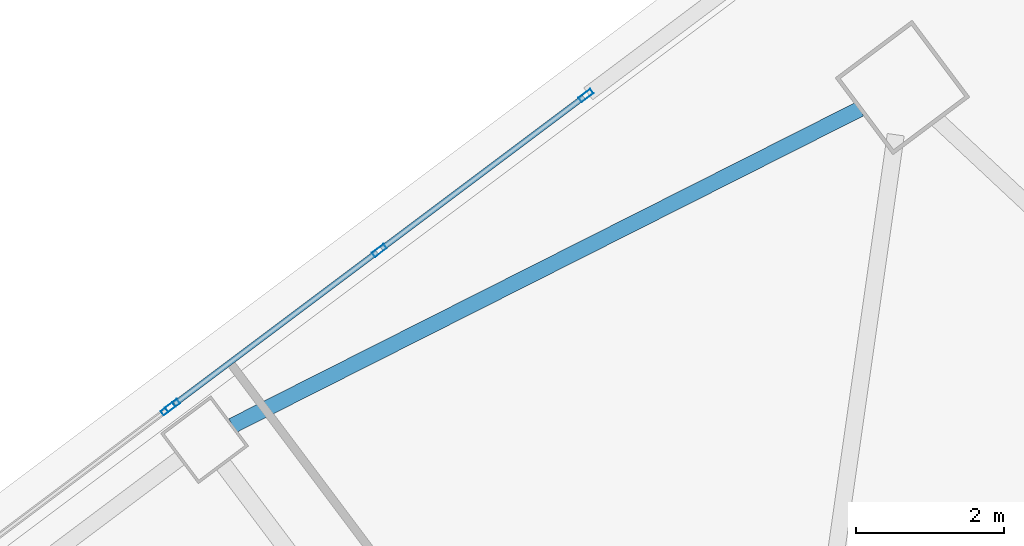
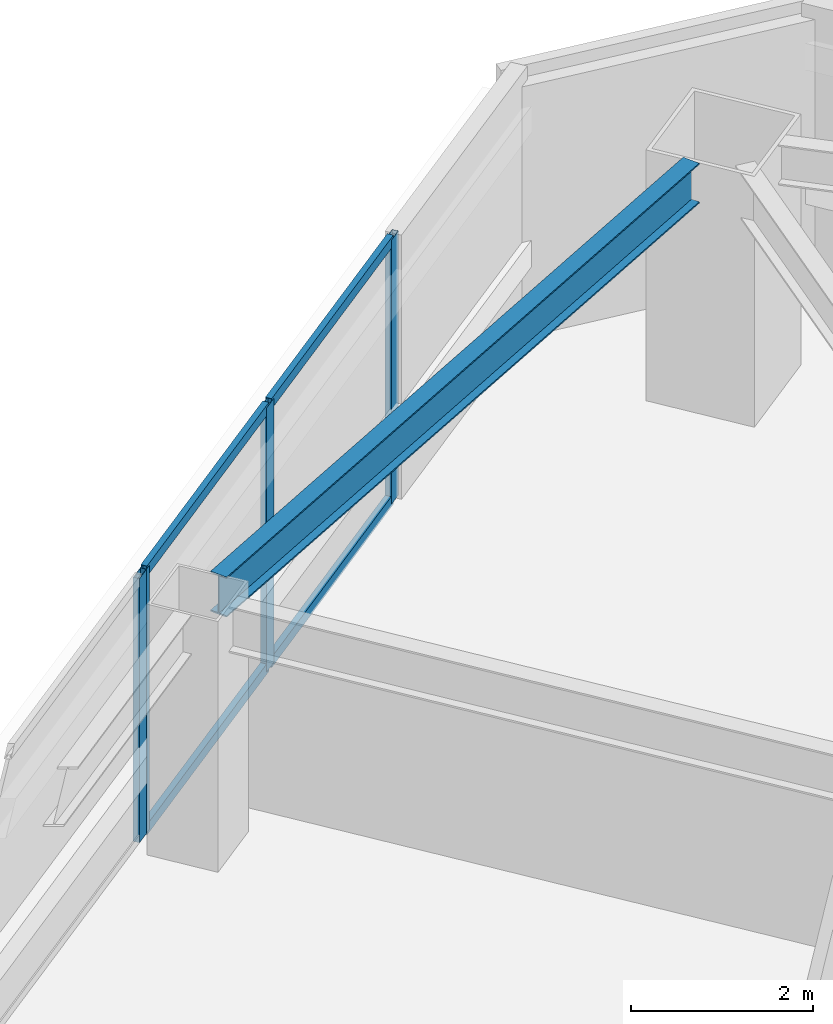
# One storey, part 29 of 44: 8 members, 1 beam, 2 elements without a shape of their own.
"""IFC4 building model written with IfcOpenShell, lengths in metres."""

import ifcopenshell
import ifcopenshell.guid

model = None  # the IFC model being written
_history = None  # IfcOwnerHistory: only IFC2X3 demands one
_inside = {}  # id of a spatial element -> (the spatial element, [elements in it])
_under = {}  # id of a project, library or spatial element -> (it, [spatial elements below it])
_declared = {}  # id of a project -> (the project, [libraries it declares])
_typed = {}  # id of a type object -> (the type object, [elements of that type])
_made_of = {}  # id of a material, layer set ... -> (it, [elements and type objects made of it])


def new_model(schema):
    """Start an empty IFC model of exactly this schema.

    Asked for "IFC4X3", IfcOpenShell would pick the latest addendum, in which some entities
    have other attributes; the version numbers below select the first issue.
    IFC2X3 requires an IfcOwnerHistory on every rooted entity: one is made here for all.
    """
    global model, _history
    if schema == "IFC4X3":
        model = ifcopenshell.file(schema_version=(4, 3, 0, 0))
    else:
        model = ifcopenshell.file(schema=schema)
    _inside.clear()
    _under.clear()
    _declared.clear()
    _typed.clear()
    _made_of.clear()
    _history = None
    if model.schema == "IFC2X3":
        org = make("IfcOrganization", Name="unknown")
        user = make(
            "IfcPersonAndOrganization",
            ThePerson=make("IfcPerson", FamilyName="unknown"),
            TheOrganization=org,
        )
        app = make(
            "IfcApplication",
            ApplicationDeveloper=org,
            Version="unknown",
            ApplicationFullName="unknown",
            ApplicationIdentifier="unknown",
        )
        _history = make(
            "IfcOwnerHistory",
            OwningUser=user,
            OwningApplication=app,
            ChangeAction="ADDED",
            CreationDate=0,
        )
    return model


def make(cls, **values):
    """One entity of the class cls with the attributes given. An attribute that is None is left unset."""
    return model.create_entity(
        cls, **{name: value for name, value in values.items() if value is not None}
    )


def rooted(cls, **values):
    """An entity with a GlobalId (a new one), such as an element, a storey or a relation."""
    return make(cls, GlobalId=ifcopenshell.guid.new(), OwnerHistory=_history, **values)


def si_unit(unit_type, name, prefix=None):
    """IfcSIUnit, for example si_unit("LENGTHUNIT", "METRE", prefix="MILLI")."""
    return make("IfcSIUnit", UnitType=unit_type, Prefix=prefix, Name=name)


def assignment(units):
    """IfcUnitAssignment: the units of a project."""
    return None if units is None else make("IfcUnitAssignment", Units=units)


def point(xyz):
    """IfcCartesianPoint."""
    return None if xyz is None else make("IfcCartesianPoint", Coordinates=xyz)


def direction(xyz):
    """IfcDirection."""
    return None if xyz is None else make("IfcDirection", DirectionRatios=xyz)


def frame(location, z_axis=None, x_axis=None):
    """IfcAxis2Placement3D, a coordinate frame: its origin and axes. An axis left out is left unset."""
    return make(
        "IfcAxis2Placement3D",
        Location=point(location),
        Axis=direction(z_axis),
        RefDirection=direction(x_axis),
    )


def frame_2d(location, x_axis=None):
    """IfcAxis2Placement2D, a coordinate frame in the plane: its origin and x axis."""
    return make(
        "IfcAxis2Placement2D", Location=point(location), RefDirection=direction(x_axis)
    )


def origin():
    """The frame at (0, 0, 0) with its axes left unset."""
    return frame((0.0, 0.0, 0.0))


def origin_2d():
    """The frame at (0, 0) in the plane with its x axis left unset."""
    return frame_2d((0.0, 0.0))


def place(relative_to, where):
    """IfcLocalPlacement: puts the frame where relative to a parent placement (None: the world)."""
    return make(
        "IfcLocalPlacement", PlacementRelTo=relative_to, RelativePlacement=where
    )


def context(
    kind, dimensions, precision=None, world=None, true_north=None, identifier=None
):
    """IfcGeometricRepresentationContext, for example the 3D "Model" context."""
    return make(
        "IfcGeometricRepresentationContext",
        ContextIdentifier=identifier,
        ContextType=kind,
        CoordinateSpaceDimension=dimensions,
        Precision=precision,
        WorldCoordinateSystem=world,
        TrueNorth=true_north,
    )


def subcontext(parent, identifier, kind, view, scale=None):
    """IfcGeometricRepresentationSubContext, for example "Body" below "Model"."""
    return make(
        "IfcGeometricRepresentationSubContext",
        ContextIdentifier=identifier,
        ContextType=kind,
        ParentContext=parent,
        TargetScale=scale,
        TargetView=view,
    )


def project(units=None, contexts=None):
    """IfcProject with its units and contexts."""
    return rooted(
        "IfcProject",
        Name="project",
        RepresentationContexts=contexts,
        UnitsInContext=assignment(units),
    )


def spatial(cls, under=None, at=None, **own):
    """A site, building, storey or space (cls), placed at a placement, below another one or the project."""
    s = rooted(cls, ObjectPlacement=at, **own)
    if under is not None:
        _under.setdefault(under.id(), (under, []))[1].append(s)
    return s


def profile(cls, at=None, kind="AREA", **sizes):
    """A parametric profile (cls). Its sizes go by their IFC names, for example OverallWidth=200.0."""
    return make(cls, ProfileType=kind, Position=at, **sizes)


def hollow_rectangle(**sizes):
    """IfcRectangleHollowProfileDef."""
    return profile("IfcRectangleHollowProfileDef", **sizes)


def i_section(**sizes):
    """IfcIShapeProfileDef."""
    return profile("IfcIShapeProfileDef", **sizes)


def extrude(swept, where, along, depth):
    """IfcExtrudedAreaSolid: the profile swept, set in the frame where, extruded along a direction by depth."""
    return make(
        "IfcExtrudedAreaSolid",
        SweptArea=swept,
        Position=where,
        ExtrudedDirection=direction(along),
        Depth=depth,
    )


def shape(context_of_items, identifier, shape_type, items):
    """IfcShapeRepresentation: the items that make up one representation, for example the "Body"."""
    return make(
        "IfcShapeRepresentation",
        ContextOfItems=context_of_items,
        RepresentationIdentifier=identifier,
        RepresentationType=shape_type,
        Items=items,
    )


def material(Name=None, Category=None):
    """IfcMaterial."""
    return make("IfcMaterial", Name=Name, Category=Category)


def material_profile(
    of_material, cross_section, Name=None, Category=None, Priority=None
):
    """IfcMaterialProfile: a cross section and its material."""
    return make(
        "IfcMaterialProfile",
        Name=Name,
        Material=of_material,
        Profile=cross_section,
        Priority=Priority,
        Category=Category,
    )


def profile_set(profiles, Name=None, composite=None):
    """IfcMaterialProfileSet."""
    return make(
        "IfcMaterialProfileSet",
        Name=Name,
        MaterialProfiles=profiles,
        CompositeProfile=composite,
    )


def made_of(thing, what):
    """Note that an element or type object is made of a material, layer set ...; save() writes the relation."""
    if what is not None:
        _made_of.setdefault(what.id(), (what, []))[1].append(thing)
    return thing


def type_object(cls, material=None, **own):
    """A type object (cls), such as IfcWallType, which elements share."""
    return made_of(rooted(cls, **own), material)


def element(
    cls,
    number,
    at=None,
    inside=None,
    cuts=None,
    type_object=None,
    material=None,
    context=None,
    identifier="Body",
    shape_type=None,
    held_by="IfcProductDefinitionShape",
    body=None,
    shapes=None,
    **own,
):
    """One element of the class cls, such as IfcWall. Its Tag is "e" and its number.

    at: its placement. inside: the storey or other place that contains it. cuts: it is an
    opening in that element (IfcRelVoidsElement). A single representation is given by context,
    identifier, shape_type and body (its items); several are given by shapes. held_by: the class
    of the entity that holds the representations. save() writes the other relations.
    """
    e = rooted(cls, Tag="e%d" % number, ObjectPlacement=at, **own)
    if body is not None:
        shapes = [shape(context, identifier, shape_type, body)]
    if shapes is not None:
        e.Representation = make(held_by, Representations=shapes)
    if inside is not None:
        _inside.setdefault(inside.id(), (inside, []))[1].append(e)
    if cuts is not None:
        rooted(
            "IfcRelVoidsElement", RelatingBuildingElement=cuts, RelatedOpeningElement=e
        )
    if type_object is not None:
        _typed.setdefault(type_object.id(), (type_object, []))[1].append(e)
    return made_of(e, material)


def aggregate(whole, parts):
    """IfcRelAggregates: a whole, such as a stair, and the parts it consists of."""
    return rooted("IfcRelAggregates", RelatingObject=whole, RelatedObjects=parts)


def save(model, path):
    """Write the relations noted so far, then the file.

    IfcRelAggregates (storeys below a building ...), IfcRelContainedInSpatialStructure (elements
    in a storey), IfcRelDefinesByType, IfcRelAssociatesMaterial and IfcRelDeclares: one each for
    every whole, place, type object, material and project.
    """
    for whole, parts in _under.values():
        aggregate(whole, parts)
    for where, things in _inside.values():
        rooted(
            "IfcRelContainedInSpatialStructure",
            RelatedElements=things,
            RelatingStructure=where,
        )
    for kind, things in _typed.values():
        rooted("IfcRelDefinesByType", RelatedObjects=things, RelatingType=kind)
    for what, things in _made_of.values():
        rooted("IfcRelAssociatesMaterial", RelatedObjects=things, RelatingMaterial=what)
    for by, libraries in _declared.values():
        rooted("IfcRelDeclares", RelatingContext=by, RelatedDefinitions=libraries)
    model.write(path)


model = new_model("IFC4")

# Units and contexts
model_context = context("Model", 3, precision=1e-05, world=origin(), true_north=direction((0.0, 1.0)))
body_context = subcontext(model_context, "Body", "Model", "MODEL_VIEW")
ifc_project = project(units=[si_unit("LENGTHUNIT", "METRE"), si_unit("AREAUNIT", "SQUARE_METRE"), si_unit("VOLUMEUNIT", "CUBIC_METRE"), si_unit("PLANEANGLEUNIT", "RADIAN"), si_unit("MASSUNIT", "GRAM", prefix="KILO")], contexts=[model_context])

# Site, building, storey
site_placement = place(None, origin())
site = spatial("IfcSite", under=ifc_project, at=site_placement, CompositionType="ELEMENT")
building_placement = place(site_placement, origin())
building = spatial("IfcBuilding", under=site, at=building_placement, Name="Tashvorn Skyway Center", CompositionType="ELEMENT")
storey_placement = place(building_placement, frame((0.0, 0.0, 149.89990234375)))
storey = spatial("IfcBuildingStorey", under=building, at=storey_placement, Name="L40", CompositionType="ELEMENT", Elevation=149.89990234375)

# Beam
ifc_material_1 = material(Name="Steel ASTM A992 Grade 50", Category="steel")
ifc_material_profile_1 = material_profile(ifc_material_1, i_section(OverallWidth=0.2109375, OverallDepth=0.5390625, WebThickness=0.01171875, FlangeThickness=0.018798828125, at=origin_2d()), Name="W21X73")
ifc_profile_set_1 = profile_set([ifc_material_profile_1], Name="Steel ASTM A992 Grade 50")
beam_type = type_object("IfcBeamType", Name="BM-SPANDREL-W21X73", PredefinedType="SPANDREL", material=ifc_profile_set_1)
beam_placement = place(storey_placement, frame((116.584228515625, 53.829345703125, 3.1005859375), z_axis=(-0.892719124217, -0.450613543136, 0.0), x_axis=(0.450613543136, -0.892719124217, 0.0)))
element("IfcBeam", 1, at=beam_placement, inside=storey, type_object=beam_type, Name="Tower 2 L40 Spandrel Beam 07", PredefinedType="SPANDREL", context=body_context, shape_type="SweptSolid", body=[
    extrude(i_section(OverallWidth=0.2109375, OverallDepth=0.5390625, WebThickness=0.01171875, FlangeThickness=0.018798828125, at=origin_2d()), origin(), (0.0, 0.0, 1.0), 9.498291015625),
])

# Curtain wall, member
ifc_material_2 = material(Name="Thermally broken bronze-anodized aluminium 6063-T6", Category="aluminium")
curtain_wall_type = type_object("IfcCurtainWallType", Name="CW-CW-Z3", PredefinedType="NOTDEFINED", material=ifc_material_2)
curtain_wall_1_placement = place(storey_placement, origin())
curtain_wall_1 = element("IfcCurtainWall", 2, at=curtain_wall_1_placement, inside=storey, type_object=curtain_wall_type, Name="Tower 2 L40 North Unitised Curtain Wall Glazing Group 2", PredefinedType="NOTDEFINED")
ifc_material_profile_2 = material_profile(ifc_material_2, hollow_rectangle(XDim=0.074951171875, YDim=0.199951171875, WallThickness=0.00439453125, at=origin_2d()), Name="ALU-MULL-75x200")
ifc_profile_set_2 = profile_set([ifc_material_profile_2], Name="Thermally broken bronze-anodized aluminium 6063-T6")
member_type_1 = type_object("IfcMemberType", Name="CWM-CW-Z3", PredefinedType="MULLION", material=ifc_profile_set_2)
member_1_placement = place(storey_placement, frame((107.23681640625, 49.777587890625, 0.0), z_axis=(0.0, 0.0, 1.0), x_axis=(-0.599996977339, 0.800002266987, 0.0)))
member_1 = element("IfcMember", 3, at=member_1_placement, type_object=member_type_1, Name="CW-Z3 mullion 2", PredefinedType="MULLION", context=body_context, shape_type="SweptSolid", body=[
    extrude(hollow_rectangle(XDim=0.074951171875, YDim=0.199951171875, WallThickness=0.00439453125, at=origin_2d()), origin(), (0.0, 0.0, 1.0), 3.550048828125),
])
aggregate(curtain_wall_1, [member_1])

# Curtain wall, members
curtain_wall_2_placement = place(storey_placement, origin())
curtain_wall_2 = element("IfcCurtainWall", 4, at=curtain_wall_2_placement, inside=storey, type_object=curtain_wall_type, Name="Tower 2 L40 North Unitised Curtain Wall Glazing Group 3", PredefinedType="NOTDEFINED")
member_2_placement = place(storey_placement, frame((107.296630859375, 49.822509765625, 0.0), z_axis=(0.0, 0.0, 1.0), x_axis=(-0.600004533995, 0.799996599484, 0.0)))
member_2 = element("IfcMember", 5, at=member_2_placement, type_object=member_type_1, Name="CW-Z3 mullion 1", PredefinedType="MULLION", context=body_context, shape_type="SweptSolid", body=[
    extrude(hollow_rectangle(XDim=0.074951171875, YDim=0.199951171875, WallThickness=0.00439453125, at=origin_2d()), origin(), (0.0, 0.0, 1.0), 3.550048828125),
])
member_3_placement = place(storey_placement, frame((110.08984375, 51.917236328125, 0.0), z_axis=(0.0, 0.0, 1.0), x_axis=(-0.600004533995, 0.799996599484, 0.0)))
member_3 = element("IfcMember", 6, at=member_3_placement, type_object=member_type_1, Name="CW-Z3 mullion 2", PredefinedType="MULLION", context=body_context, shape_type="SweptSolid", body=[
    extrude(hollow_rectangle(XDim=0.074951171875, YDim=0.199951171875, WallThickness=0.00439453125, at=origin_2d()), origin(), (0.0, 0.0, 1.0), 3.550048828125),
])
member_4_placement = place(storey_placement, frame((112.8828125, 54.01220703125, 0.0), z_axis=(0.0, 0.0, 1.0), x_axis=(-0.600004533995, 0.799996599484, 0.0)))
member_4 = element("IfcMember", 7, at=member_4_placement, type_object=member_type_1, Name="CW-Z3 mullion 3", PredefinedType="MULLION", context=body_context, shape_type="SweptSolid", body=[
    extrude(hollow_rectangle(XDim=0.074951171875, YDim=0.199951171875, WallThickness=0.00439453125, at=origin_2d()), origin(), (0.0, 0.0, 1.0), 3.550048828125),
])
ifc_material_profile_3 = material_profile(ifc_material_2, hollow_rectangle(XDim=0.074951171875, YDim=0.139892578125, WallThickness=0.004150390625, at=origin_2d()), Name="ALU-TRAN-75x140")
ifc_profile_set_3 = profile_set([ifc_material_profile_3], Name="Thermally broken bronze-anodized aluminium 6063-T6")
member_type_2 = type_object("IfcMemberType", Name="CWT-CW-Z3", PredefinedType="USERDEFINED", material=ifc_profile_set_3)
member_5_placement = place(storey_placement, frame((107.32666015625, 49.844970703125, 0.03759765625), z_axis=(0.800008575267, 0.59998856614, 0.0), x_axis=(-0.59998856614, 0.800008575267, 0.0)))
member_5 = element("IfcMember", 8, at=member_5_placement, type_object=member_type_2, Name="CW-Z3 transom 1.1", ObjectType="TRANSOM", PredefinedType="USERDEFINED", context=body_context, shape_type="SweptSolid", body=[
    extrude(hollow_rectangle(XDim=0.074951171875, YDim=0.139892578125, WallThickness=0.004150390625, at=origin_2d()), origin(), (0.0, 0.0, 1.0), 3.41650390625),
])
member_6_placement = place(storey_placement, frame((107.32666015625, 49.844970703125, 3.5126953125), z_axis=(0.800008575267, 0.59998856614, 0.0), x_axis=(-0.59998856614, 0.800008575267, 0.0)))
member_6 = element("IfcMember", 9, at=member_6_placement, type_object=member_type_2, Name="CW-Z3 transom 1.2", ObjectType="TRANSOM", PredefinedType="USERDEFINED", context=body_context, shape_type="SweptSolid", body=[
    extrude(hollow_rectangle(XDim=0.074951171875, YDim=0.139892578125, WallThickness=0.004150390625, at=origin_2d()), origin(), (0.0, 0.0, 1.0), 3.41650390625),
])
member_7_placement = place(storey_placement, frame((110.119873046875, 51.93994140625, 0.03759765625), z_axis=(0.799982847995, 0.600022868659, 0.0), x_axis=(-0.600022868659, 0.799982847995, 0.0)))
member_7 = element("IfcMember", 10, at=member_7_placement, type_object=member_type_2, Name="CW-Z3 transom 2.1", ObjectType="TRANSOM", PredefinedType="USERDEFINED", context=body_context, shape_type="SweptSolid", body=[
    extrude(hollow_rectangle(XDim=0.074951171875, YDim=0.139892578125, WallThickness=0.004150390625, at=origin_2d()), origin(), (0.0, 0.0, 1.0), 3.416259765625),
])
member_8_placement = place(storey_placement, frame((110.119873046875, 51.93994140625, 3.5126953125), z_axis=(0.799982847995, 0.600022868659, 0.0), x_axis=(-0.600022868659, 0.799982847995, 0.0)))
member_8 = element("IfcMember", 11, at=member_8_placement, type_object=member_type_2, Name="CW-Z3 transom 2.2", ObjectType="TRANSOM", PredefinedType="USERDEFINED", context=body_context, shape_type="SweptSolid", body=[
    extrude(hollow_rectangle(XDim=0.074951171875, YDim=0.139892578125, WallThickness=0.004150390625, at=origin_2d()), origin(), (0.0, 0.0, 1.0), 3.416259765625),
])
aggregate(curtain_wall_2, [member_2, member_3, member_4, member_5, member_6, member_7, member_8])

save(model, "model.ifc")
